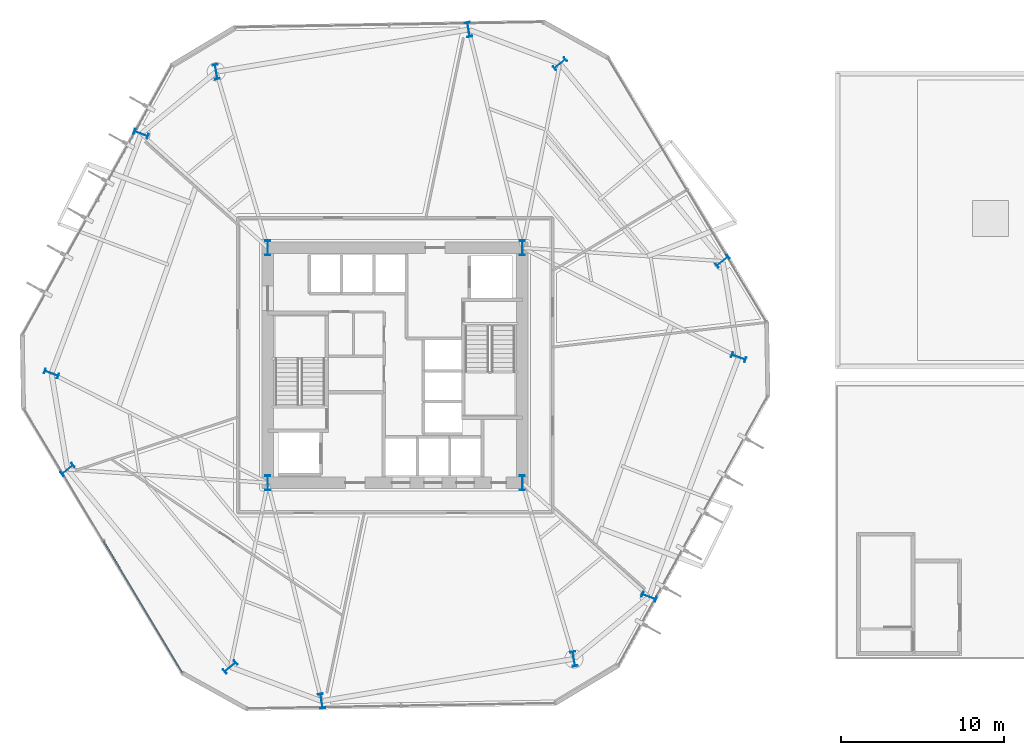
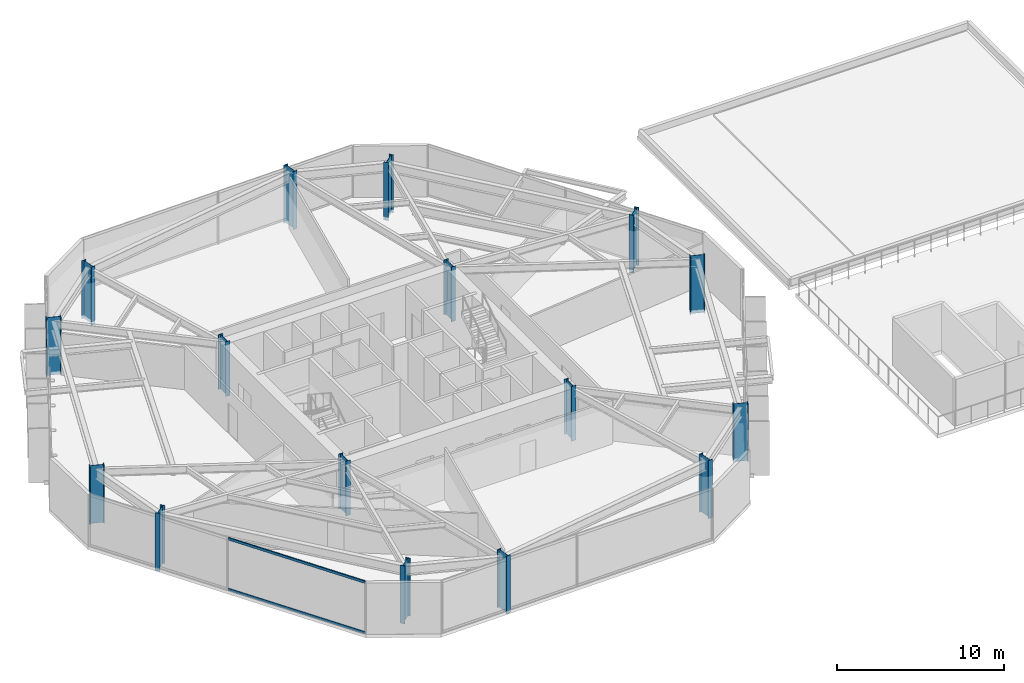
# One storey, part 1 of 11: 16 columns, 2 members, 1 element without a shape of its own.
"""IFC4 building model written with IfcOpenShell, lengths in metres."""

from ifc_helpers import new_model, si_unit, direction, frame, origin, origin_2d, place, context, subcontext, project, spatial, rectangle, i_section, extrude, material, layer, layer_set, material_profile, profile_set, type_object, element, aggregate, save


model = new_model("IFC4")

# Units and contexts
model_context = context("Model", 3, precision=1e-05, world=origin(), true_north=direction((0.0, 1.0)))
body_context = subcontext(model_context, "Body", "Model", "MODEL_VIEW")
ifc_project = project(units=[si_unit("LENGTHUNIT", "METRE"), si_unit("AREAUNIT", "SQUARE_METRE"), si_unit("VOLUMEUNIT", "CUBIC_METRE"), si_unit("PLANEANGLEUNIT", "RADIAN"), si_unit("MASSUNIT", "GRAM", prefix="KILO")], contexts=[model_context])

# Site, building, storey
site_placement = place(None, origin())
site = spatial("IfcSite", under=ifc_project, at=site_placement, CompositionType="ELEMENT")
building_placement = place(site_placement, origin())
building = spatial("IfcBuilding", under=site, at=building_placement, Name="Kranzbogen Civic Tower", CompositionType="ELEMENT")
storey_placement = place(building_placement, frame((0.0, 0.0, 24.0)))
storey = spatial("IfcBuildingStorey", under=building, at=storey_placement, Name="L05", CompositionType="ELEMENT", Elevation=24.0)

# Columns
ifc_material_1 = material(Name="Steel S460", Category="steel")
ifc_material_profile_1 = material_profile(ifc_material_1, i_section(OverallWidth=0.302001953125, OverallDepth=0.909912109375, WebThickness=0.02099609375, FlangeThickness=0.0400390625, at=origin_2d()), Name="HEM 900")
ifc_profile_set_1 = profile_set([ifc_material_profile_1], Name="Steel S460")
column_type = type_object("IfcColumnType", Name="Structural Column HEM 900", PredefinedType="COLUMN", material=ifc_profile_set_1)
for number, where, z_axis, x_axis, name in (
    (1, (17.199951171875, 17.800048828125, 0.0), (0.0, 0.0, 1.0), (1.0, 0.0, 0.0), "L05 composite core corner column 1"),
    (2, (32.800048828125, 17.800048828125, 0.0), (0.0, 0.0, 1.0), (1.0, 0.0, 0.0), "L05 composite core corner column 2"),
    (3, (32.800048828125, 32.199951171875, 0.0), (0.0, 0.0, 1.0), (1.0, 0.0, 0.0), "L05 composite core corner column 3"),
    (4, (17.199951171875, 32.199951171875, 0.0), (0.0, 0.0, 1.0), (1.0, 0.0, 0.0), "L05 composite core corner column 4"),
):
    element("IfcColumn", number, at=place(storey_placement, frame(where, z_axis=z_axis, x_axis=x_axis)), inside=storey, type_object=column_type, Name=name, PredefinedType="COLUMN", context=body_context, shape_type="SweptSolid", body=[
        extrude(i_section(OverallWidth=0.302001953125, OverallDepth=0.909912109375, WebThickness=0.02099609375, FlangeThickness=0.0400390625, at=origin_2d()), origin(), (0.0, 0.0, 1.0), 4.0),
    ])
for number, where, z_axis, x_axis, name in (
    (5, (45.072021484375, 31.385986328125, -0.239990234375), (0.0, 0.0, 1.0), (-0.636078220278, 0.771624583388, 0.0), "L05 tower perimeter tube column 01"),
    (6, (35.09912109375, 43.48388671875, -0.239990234375), (0.0, 0.0, 1.0), (-0.636078220278, 0.771624583388, 0.0), "L05 tower perimeter tube column 02"),
    (7, (29.5048828125, 45.575927734375, -0.239990234375), (0.0, 0.0, 1.0), (0.986285601537, 0.165047605861, 0.0), "L05 tower perimeter tube column 03"),
    (8, (14.0419921875, 42.988037109375, -0.239990234375), (0.0, 0.0, 1.0), (0.986285601537, 0.165047605861, 0.0), "L05 tower perimeter tube column 04"),
    (9, (9.43310546875, 39.18896484375, -0.239990234375), (0.0, 0.0, 1.0), (0.350207381259, 0.936672189248, 0.0), "L05 tower perimeter tube column 05"),
    (10, (3.943115234375, 24.50390625, -0.239990234375), (0.0, 0.0, 1.0), (0.350207381259, 0.936672189248, 0.0), "L05 tower perimeter tube column 06"),
    (11, (4.927978515625, 18.614013671875, -0.239990234375), (0.0, 0.0, 1.0), (-0.636078220278, 0.771624583388, 0.0), "L05 tower perimeter tube column 07"),
    (12, (14.90087890625, 6.51611328125, -0.239990234375), (0.0, 0.0, 1.0), (-0.636078220278, 0.771624583388, 0.0), "L05 tower perimeter tube column 08"),
    (13, (20.4951171875, 4.424072265625, -0.239990234375), (0.0, 0.0, 1.0), (0.986285601537, 0.165047605861, 0.0), "L05 tower perimeter tube column 09"),
    (14, (35.9580078125, 7.011962890625, -0.239990234375), (0.0, 0.0, 1.0), (0.986285601537, 0.165047605861, 0.0), "L05 tower perimeter tube column 10"),
    (15, (40.56689453125, 10.81103515625, -0.239990234375), (0.0, 0.0, 1.0), (0.350207381259, 0.936672189248, 0.0), "L05 tower perimeter tube column 11"),
    (16, (46.056884765625, 25.49609375, -0.239990234375), (0.0, 0.0, 1.0), (0.350207381259, 0.936672189248, 0.0), "L05 tower perimeter tube column 12"),
):
    element("IfcColumn", number, at=place(storey_placement, frame(where, z_axis=z_axis, x_axis=x_axis)), inside=storey, type_object=column_type, Name=name, PredefinedType="COLUMN", context=body_context, shape_type="SweptSolid", body=[
        extrude(i_section(OverallWidth=0.302001953125, OverallDepth=0.909912109375, WebThickness=0.02099609375, FlangeThickness=0.0400390625, at=origin_2d()), origin(), (0.0, 0.0, 1.0), 4.239990234375),
    ])

# Curtain wall, members
ifc_material_2 = material(Name="Pale Anodised Aluminium", Category="aluminium")
ifc_layer = layer(ifc_material_2, 0.219970703125, Name="Pale Anodised Aluminium")
ifc_layer_set = layer_set([ifc_layer], Name="Pale Anodised Aluminium")
curtain_wall_type = type_object("IfcCurtainWallType", Name="Zone 1 Stick Curtain Wall System CW-02", PredefinedType="USERDEFINED", material=ifc_layer_set)
curtain_wall_placement = place(storey_placement, origin())
curtain_wall = element("IfcCurtainWall", 17, at=curtain_wall_placement, inside=storey, type_object=curtain_wall_type, Name="L05 curtain wall CW-L05-F4", ObjectType="STICK CURTAIN WALL", PredefinedType="USERDEFINED")
ifc_material_profile_2 = material_profile(ifc_material_2, rectangle(XDim=0.080078125, YDim=0.179931640625, at=origin_2d()), Name="ALU-T 80x180")
ifc_profile_set_2 = profile_set([ifc_material_profile_2], Name="Pale Anodised Aluminium")
member_type = type_object("IfcMemberType", Name="Curtain Wall Transom ALU-T 80x180", PredefinedType="USERDEFINED", material=ifc_profile_set_2)
member_1_placement = place(storey_placement, frame((7.1240234375, 14.224365234375, 0.030029296875), z_axis=(0.515027792125, -0.857173479139, 0.0), x_axis=(0.857173479139, 0.515027792125, 0.0)))
member_1 = element("IfcMember", 18, at=member_1_placement, type_object=member_type, Name="CW-02 transom 2.1", ObjectType="TRANSOM", PredefinedType="USERDEFINED", context=body_context, shape_type="SweptSolid", body=[
    extrude(rectangle(XDim=0.080078125, YDim=0.179931640625, at=origin_2d()), origin(), (0.0, 0.0, 1.0), 9.378173828125),
])
member_2_placement = place(storey_placement, frame((7.1240234375, 14.224365234375, 3.72998046875), z_axis=(0.515027792125, -0.857173479139, 0.0), x_axis=(0.857173479139, 0.515027792125, 0.0)))
member_2 = element("IfcMember", 19, at=member_2_placement, type_object=member_type, Name="CW-02 transom 2.2", ObjectType="TRANSOM", PredefinedType="USERDEFINED", context=body_context, shape_type="SweptSolid", body=[
    extrude(rectangle(XDim=0.080078125, YDim=0.179931640625, at=origin_2d()), origin(), (0.0, 0.0, 1.0), 9.378173828125),
])
aggregate(curtain_wall, [member_1, member_2])

save(model, "model.ifc")
